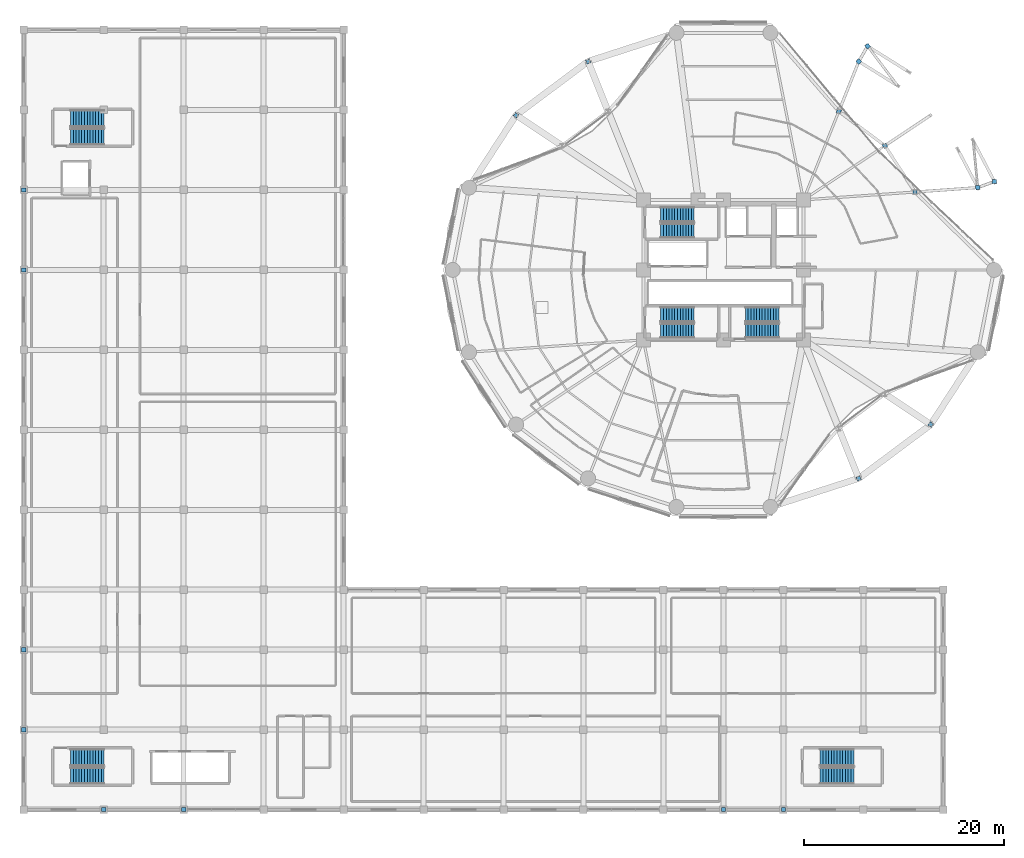
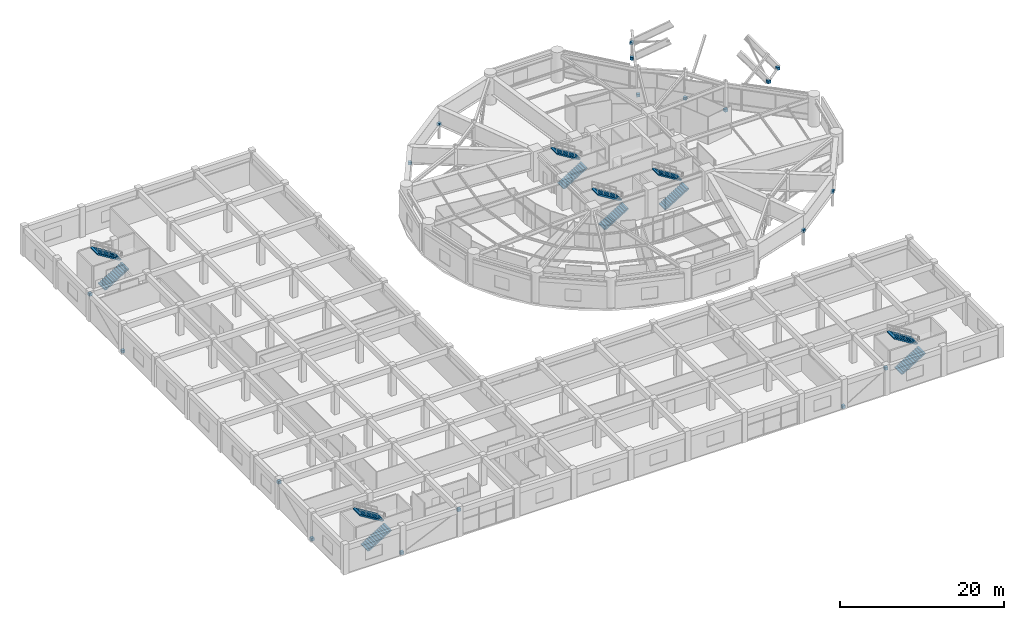
# One storey, part 46 of 53: 19 discrete accessories, 12 stair flights, 6 elements without a shape of their own.
"""IFC4 building model written with IfcOpenShell, lengths in metres."""

from ifc_helpers import new_model, si_unit, direction, frame, origin, origin_2d, place, context, subcontext, project, spatial, polyline, rectangle, outline, extrude, source, transform, mapped, material, type_object, element, aggregate, save


model = new_model("IFC4")

# Units and contexts
model_context = context("Model", 3, precision=1e-05, world=origin(), true_north=direction((0.0, 1.0)))
body_context = subcontext(model_context, "Body", "Model", "MODEL_VIEW")
ifc_project = project(units=[si_unit("LENGTHUNIT", "METRE"), si_unit("AREAUNIT", "SQUARE_METRE"), si_unit("VOLUMEUNIT", "CUBIC_METRE"), si_unit("PLANEANGLEUNIT", "RADIAN"), si_unit("MASSUNIT", "GRAM", prefix="KILO")], contexts=[model_context])

# Site, building, storey
site_placement = place(None, origin())
site = spatial("IfcSite", under=ifc_project, at=site_placement, CompositionType="ELEMENT")
building_placement = place(site_placement, origin())
building = spatial("IfcBuilding", under=site, at=building_placement, Name="Kelanora Arch Commons", CompositionType="ELEMENT")
storey_placement = place(building_placement, frame((0.0, 0.0, 9.0)))
storey = spatial("IfcBuildingStorey", under=building, at=storey_placement, Name="L02", CompositionType="ELEMENT", Elevation=9.0)

# Stair, stair flights
ifc_material_1 = material(Name="Concrete C40/50", Category="concrete")
stair_type = type_object("IfcStairType", Name="STR-DL-450", PredefinedType="HALF_TURN_STAIR", material=ifc_material_1)
stair_1_placement = place(storey_placement, origin())
stair_1 = element("IfcStair", 1, at=stair_1_placement, inside=storey, type_object=stair_type, Name="L02 ST-T1", PredefinedType="HALF_TURN_STAIR")
stair_flight_type = type_object("IfcStairFlightType", Name="FLT-DL-450", PredefinedType="STRAIGHT", material=ifc_material_1)
stair_flight_1_placement = place(storey_placement, frame((67.719970703125, 61.919921875, 0.0), z_axis=(0.0, 0.0, 1.0), x_axis=(1.0, 0.0, 0.0)))
stair_flight_1 = element("IfcStairFlight", 2, at=stair_flight_1_placement, type_object=stair_flight_type, Name="ST-T1 flight 1", NumberOfRisers=13, NumberOfTreads=12, PredefinedType="STRAIGHT", RiserHeight=0.173076923, TreadLength=0.28, context=body_context, shape_type="SweptSolid", body=[
    extrude(outline(polyline([(0.0, 0.0), (0.0, 0.173095703125), (0.280029296875, 0.173095703125), (0.280029296875, 0.34619140625), (0.56005859375, 0.34619140625), (0.56005859375, 0.519287109375), (0.840087890625, 0.519287109375), (0.840087890625, 0.6923828125), (1.1201171875, 0.6923828125), (1.1201171875, 0.865478515625), (1.39990234375, 0.865478515625), (1.39990234375, 1.03857421875), (1.679931640625, 1.03857421875), (1.679931640625, 1.21142578125), (1.9599609375, 1.21142578125), (1.9599609375, 1.384521484375), (2.239990234375, 1.384521484375), (2.239990234375, 1.5576171875), (2.52001953125, 1.5576171875), (2.52001953125, 1.730712890625), (2.800048828125, 1.730712890625), (2.800048828125, 1.90380859375), (3.080078125, 1.90380859375), (3.080078125, 2.076904296875), (3.360107421875, 2.076904296875), (3.360107421875, 2.25), (3.360107421875, 1.900634765625), (0.28515625, 0.0), (0.0, 0.0)])), frame((0.0, 0.739990234375, 0.0), z_axis=(0.0, -1.0, 0.0), x_axis=(1.0, 0.0, 0.0)), (0.0, 0.0, 1.0), 1.47998046875),
])
stair_flight_2_placement = place(storey_placement, frame((71.080078125, 63.550048828125, 2.25), z_axis=(0.0, 0.0, 1.0), x_axis=(-1.0, 0.0, 0.0)))
stair_flight_2 = element("IfcStairFlight", 3, at=stair_flight_2_placement, type_object=stair_flight_type, Name="ST-T1 flight 2", NumberOfRisers=13, NumberOfTreads=12, PredefinedType="STRAIGHT", RiserHeight=0.173076923, TreadLength=0.28, context=body_context, shape_type="SweptSolid", body=[
    extrude(outline(polyline([(0.0, 0.0), (0.0, 0.173095703125), (0.280029296875, 0.173095703125), (0.280029296875, 0.34619140625), (0.56005859375, 0.34619140625), (0.56005859375, 0.519287109375), (0.840087890625, 0.519287109375), (0.840087890625, 0.6923828125), (1.1201171875, 0.6923828125), (1.1201171875, 0.865478515625), (1.39990234375, 0.865478515625), (1.39990234375, 1.03857421875), (1.679931640625, 1.03857421875), (1.679931640625, 1.21142578125), (1.9599609375, 1.21142578125), (1.9599609375, 1.384521484375), (2.239990234375, 1.384521484375), (2.239990234375, 1.5576171875), (2.52001953125, 1.5576171875), (2.52001953125, 1.730712890625), (2.800048828125, 1.730712890625), (2.800048828125, 1.90380859375), (3.080078125, 1.90380859375), (3.080078125, 2.076904296875), (3.360107421875, 2.076904296875), (3.360107421875, 2.25), (3.360107421875, 1.900634765625), (0.28515625, 0.0), (0.0, 0.0)])), frame((0.0, 0.739990234375, 0.0), z_axis=(0.0, -1.0, 0.0), x_axis=(1.0, 0.0, 0.0)), (0.0, 0.0, 1.0), 1.47998046875),
])
aggregate(stair_1, [stair_flight_1, stair_flight_2])

stair_2_placement = place(storey_placement, origin())
stair_2 = element("IfcStair", 4, at=stair_2_placement, inside=storey, type_object=stair_type, Name="L02 ST-T2", PredefinedType="HALF_TURN_STAIR")
stair_flight_3_placement = place(storey_placement, frame((76.199951171875, 51.919921875, 0.0), z_axis=(0.0, 0.0, 1.0), x_axis=(1.0, 0.0, 0.0)))
stair_flight_3 = element("IfcStairFlight", 5, at=stair_flight_3_placement, type_object=stair_flight_type, Name="ST-T2 flight 1", NumberOfRisers=13, NumberOfTreads=12, PredefinedType="STRAIGHT", RiserHeight=0.173076923, TreadLength=0.28, context=body_context, shape_type="SweptSolid", body=[
    extrude(outline(polyline([(0.0, 0.0), (0.0, 0.173095703125), (0.280029296875, 0.173095703125), (0.280029296875, 0.34619140625), (0.56005859375, 0.34619140625), (0.56005859375, 0.519287109375), (0.840087890625, 0.519287109375), (0.840087890625, 0.6923828125), (1.1201171875, 0.6923828125), (1.1201171875, 0.865478515625), (1.39990234375, 0.865478515625), (1.39990234375, 1.03857421875), (1.679931640625, 1.03857421875), (1.679931640625, 1.21142578125), (1.9599609375, 1.21142578125), (1.9599609375, 1.384521484375), (2.239990234375, 1.384521484375), (2.239990234375, 1.5576171875), (2.52001953125, 1.5576171875), (2.52001953125, 1.730712890625), (2.800048828125, 1.730712890625), (2.800048828125, 1.90380859375), (3.080078125, 1.90380859375), (3.080078125, 2.076904296875), (3.360107421875, 2.076904296875), (3.360107421875, 2.25), (3.360107421875, 1.900634765625), (0.28515625, 0.0), (0.0, 0.0)])), frame((0.0, 0.739990234375, 0.0), z_axis=(0.0, -1.0, 0.0), x_axis=(1.0, 0.0, 0.0)), (0.0, 0.0, 1.0), 1.47998046875),
])
stair_flight_4_placement = place(storey_placement, frame((79.56005859375, 53.550048828125, 2.25), z_axis=(0.0, 0.0, 1.0), x_axis=(-1.0, 0.0, 0.0)))
stair_flight_4 = element("IfcStairFlight", 6, at=stair_flight_4_placement, type_object=stair_flight_type, Name="ST-T2 flight 2", NumberOfRisers=13, NumberOfTreads=12, PredefinedType="STRAIGHT", RiserHeight=0.173076923, TreadLength=0.28, context=body_context, shape_type="SweptSolid", body=[
    extrude(outline(polyline([(0.0, 0.0), (0.0, 0.173095703125), (0.280029296875, 0.173095703125), (0.280029296875, 0.34619140625), (0.56005859375, 0.34619140625), (0.56005859375, 0.519287109375), (0.840087890625, 0.519287109375), (0.840087890625, 0.6923828125), (1.1201171875, 0.6923828125), (1.1201171875, 0.865478515625), (1.39990234375, 0.865478515625), (1.39990234375, 1.03857421875), (1.679931640625, 1.03857421875), (1.679931640625, 1.21142578125), (1.9599609375, 1.21142578125), (1.9599609375, 1.384521484375), (2.239990234375, 1.384521484375), (2.239990234375, 1.5576171875), (2.52001953125, 1.5576171875), (2.52001953125, 1.730712890625), (2.800048828125, 1.730712890625), (2.800048828125, 1.90380859375), (3.080078125, 1.90380859375), (3.080078125, 2.076904296875), (3.360107421875, 2.076904296875), (3.360107421875, 2.25), (3.360107421875, 1.900634765625), (0.28515625, 0.0), (0.0, 0.0)])), frame((0.0, 0.739990234375, 0.0), z_axis=(0.0, -1.0, 0.0), x_axis=(1.0, 0.0, 0.0)), (0.0, 0.0, 1.0), 1.47998046875),
])
aggregate(stair_2, [stair_flight_3, stair_flight_4])

stair_3_placement = place(storey_placement, origin())
stair_3 = element("IfcStair", 7, at=stair_3_placement, inside=storey, type_object=stair_type, Name="L02 ST-T3", PredefinedType="HALF_TURN_STAIR")
stair_flight_5_placement = place(storey_placement, frame((67.719970703125, 51.919921875, 0.0), z_axis=(0.0, 0.0, 1.0), x_axis=(1.0, 0.0, 0.0)))
stair_flight_5 = element("IfcStairFlight", 8, at=stair_flight_5_placement, type_object=stair_flight_type, Name="ST-T3 flight 1", NumberOfRisers=13, NumberOfTreads=12, PredefinedType="STRAIGHT", RiserHeight=0.173076923, TreadLength=0.28, context=body_context, shape_type="SweptSolid", body=[
    extrude(outline(polyline([(0.0, 0.0), (0.0, 0.173095703125), (0.280029296875, 0.173095703125), (0.280029296875, 0.34619140625), (0.56005859375, 0.34619140625), (0.56005859375, 0.519287109375), (0.840087890625, 0.519287109375), (0.840087890625, 0.6923828125), (1.1201171875, 0.6923828125), (1.1201171875, 0.865478515625), (1.39990234375, 0.865478515625), (1.39990234375, 1.03857421875), (1.679931640625, 1.03857421875), (1.679931640625, 1.21142578125), (1.9599609375, 1.21142578125), (1.9599609375, 1.384521484375), (2.239990234375, 1.384521484375), (2.239990234375, 1.5576171875), (2.52001953125, 1.5576171875), (2.52001953125, 1.730712890625), (2.800048828125, 1.730712890625), (2.800048828125, 1.90380859375), (3.080078125, 1.90380859375), (3.080078125, 2.076904296875), (3.360107421875, 2.076904296875), (3.360107421875, 2.25), (3.360107421875, 1.900634765625), (0.28515625, 0.0), (0.0, 0.0)])), frame((0.0, 0.739990234375, 0.0), z_axis=(0.0, -1.0, 0.0), x_axis=(1.0, 0.0, 0.0)), (0.0, 0.0, 1.0), 1.47998046875),
])
stair_flight_6_placement = place(storey_placement, frame((71.080078125, 53.550048828125, 2.25), z_axis=(0.0, 0.0, 1.0), x_axis=(-1.0, 0.0, 0.0)))
stair_flight_6 = element("IfcStairFlight", 9, at=stair_flight_6_placement, type_object=stair_flight_type, Name="ST-T3 flight 2", NumberOfRisers=13, NumberOfTreads=12, PredefinedType="STRAIGHT", RiserHeight=0.173076923, TreadLength=0.28, context=body_context, shape_type="SweptSolid", body=[
    extrude(outline(polyline([(0.0, 0.0), (0.0, 0.173095703125), (0.280029296875, 0.173095703125), (0.280029296875, 0.34619140625), (0.56005859375, 0.34619140625), (0.56005859375, 0.519287109375), (0.840087890625, 0.519287109375), (0.840087890625, 0.6923828125), (1.1201171875, 0.6923828125), (1.1201171875, 0.865478515625), (1.39990234375, 0.865478515625), (1.39990234375, 1.03857421875), (1.679931640625, 1.03857421875), (1.679931640625, 1.21142578125), (1.9599609375, 1.21142578125), (1.9599609375, 1.384521484375), (2.239990234375, 1.384521484375), (2.239990234375, 1.5576171875), (2.52001953125, 1.5576171875), (2.52001953125, 1.730712890625), (2.800048828125, 1.730712890625), (2.800048828125, 1.90380859375), (3.080078125, 1.90380859375), (3.080078125, 2.076904296875), (3.360107421875, 2.076904296875), (3.360107421875, 2.25), (3.360107421875, 1.900634765625), (0.28515625, 0.0), (0.0, 0.0)])), frame((0.0, 0.739990234375, 0.0), z_axis=(0.0, -1.0, 0.0), x_axis=(1.0, 0.0, 0.0)), (0.0, 0.0, 1.0), 1.47998046875),
])
aggregate(stair_3, [stair_flight_5, stair_flight_6])

stair_4_placement = place(storey_placement, origin())
stair_4 = element("IfcStair", 10, at=stair_4_placement, inside=storey, type_object=stair_type, Name="L02 ST-M1", PredefinedType="HALF_TURN_STAIR")
stair_flight_7_placement = place(storey_placement, frame((8.679931640625, 7.39990234375, 0.0), z_axis=(0.0, 0.0, 1.0), x_axis=(1.0, 0.0, 0.0)))
stair_flight_7 = element("IfcStairFlight", 11, at=stair_flight_7_placement, type_object=stair_flight_type, Name="ST-M1 flight 1", NumberOfRisers=13, NumberOfTreads=12, PredefinedType="STRAIGHT", RiserHeight=0.173076923, TreadLength=0.28, context=body_context, shape_type="SweptSolid", body=[
    extrude(outline(polyline([(0.0, 0.0), (0.0, 0.173095703125), (0.280029296875, 0.173095703125), (0.280029296875, 0.34619140625), (0.56005859375, 0.34619140625), (0.56005859375, 0.519287109375), (0.840087890625, 0.519287109375), (0.840087890625, 0.6923828125), (1.1201171875, 0.6923828125), (1.1201171875, 0.865478515625), (1.39990234375, 0.865478515625), (1.39990234375, 1.03857421875), (1.679931640625, 1.03857421875), (1.679931640625, 1.21142578125), (1.9599609375, 1.21142578125), (1.9599609375, 1.384521484375), (2.239990234375, 1.384521484375), (2.239990234375, 1.5576171875), (2.52001953125, 1.5576171875), (2.52001953125, 1.730712890625), (2.800048828125, 1.730712890625), (2.800048828125, 1.90380859375), (3.080078125, 1.90380859375), (3.080078125, 2.076904296875), (3.360107421875, 2.076904296875), (3.360107421875, 2.25), (3.360107421875, 1.900634765625), (0.28515625, 0.0), (0.0, 0.0)])), frame((0.0, 0.83984375, 0.0), z_axis=(0.0, -1.0, 0.0), x_axis=(1.0, 0.0, 0.0)), (0.0, 0.0, 1.0), 1.679931640625),
])
stair_flight_8_placement = place(storey_placement, frame((12.0400390625, 9.22998046875, 2.25), z_axis=(0.0, 0.0, 1.0), x_axis=(-1.0, 0.0, 0.0)))
stair_flight_8 = element("IfcStairFlight", 12, at=stair_flight_8_placement, type_object=stair_flight_type, Name="ST-M1 flight 2", NumberOfRisers=13, NumberOfTreads=12, PredefinedType="STRAIGHT", RiserHeight=0.173076923, TreadLength=0.28, context=body_context, shape_type="SweptSolid", body=[
    extrude(outline(polyline([(0.0, 0.0), (0.0, 0.173095703125), (0.280029296875, 0.173095703125), (0.280029296875, 0.34619140625), (0.56005859375, 0.34619140625), (0.56005859375, 0.519287109375), (0.840087890625, 0.519287109375), (0.840087890625, 0.6923828125), (1.1201171875, 0.6923828125), (1.1201171875, 0.865478515625), (1.39990234375, 0.865478515625), (1.39990234375, 1.03857421875), (1.679931640625, 1.03857421875), (1.679931640625, 1.21142578125), (1.9599609375, 1.21142578125), (1.9599609375, 1.384521484375), (2.239990234375, 1.384521484375), (2.239990234375, 1.5576171875), (2.52001953125, 1.5576171875), (2.52001953125, 1.730712890625), (2.800048828125, 1.730712890625), (2.800048828125, 1.90380859375), (3.080078125, 1.90380859375), (3.080078125, 2.076904296875), (3.360107421875, 2.076904296875), (3.360107421875, 2.25), (3.360107421875, 1.900634765625), (0.28515625, 0.0), (0.0, 0.0)])), frame((0.0, 0.83984375, 0.0), z_axis=(0.0, -1.0, 0.0), x_axis=(1.0, 0.0, 0.0)), (0.0, 0.0, 1.0), 1.679931640625),
])
aggregate(stair_4, [stair_flight_7, stair_flight_8])

stair_5_placement = place(storey_placement, origin())
stair_5 = element("IfcStair", 13, at=stair_5_placement, inside=storey, type_object=stair_type, Name="L02 ST-M2", PredefinedType="HALF_TURN_STAIR")
stair_flight_9_placement = place(storey_placement, frame((83.679931640625, 7.39990234375, 0.0), z_axis=(0.0, 0.0, 1.0), x_axis=(1.0, 0.0, 0.0)))
stair_flight_9 = element("IfcStairFlight", 14, at=stair_flight_9_placement, type_object=stair_flight_type, Name="ST-M2 flight 1", NumberOfRisers=13, NumberOfTreads=12, PredefinedType="STRAIGHT", RiserHeight=0.173076923, TreadLength=0.28, context=body_context, shape_type="SweptSolid", body=[
    extrude(outline(polyline([(0.0, 0.0), (0.0, 0.173095703125), (0.280029296875, 0.173095703125), (0.280029296875, 0.34619140625), (0.56005859375, 0.34619140625), (0.56005859375, 0.519287109375), (0.840087890625, 0.519287109375), (0.840087890625, 0.6923828125), (1.1201171875, 0.6923828125), (1.1201171875, 0.865478515625), (1.39990234375, 0.865478515625), (1.39990234375, 1.03857421875), (1.679931640625, 1.03857421875), (1.679931640625, 1.21142578125), (1.9599609375, 1.21142578125), (1.9599609375, 1.384521484375), (2.239990234375, 1.384521484375), (2.239990234375, 1.5576171875), (2.52001953125, 1.5576171875), (2.52001953125, 1.730712890625), (2.800048828125, 1.730712890625), (2.800048828125, 1.90380859375), (3.080078125, 1.90380859375), (3.080078125, 2.076904296875), (3.360107421875, 2.076904296875), (3.360107421875, 2.25), (3.360107421875, 1.900634765625), (0.28515625, 0.0), (0.0, 0.0)])), frame((0.0, 0.83984375, 0.0), z_axis=(0.0, -1.0, 0.0), x_axis=(1.0, 0.0, 0.0)), (0.0, 0.0, 1.0), 1.679931640625),
])
stair_flight_10_placement = place(storey_placement, frame((87.0400390625, 9.22998046875, 2.25), z_axis=(0.0, 0.0, 1.0), x_axis=(-1.0, 0.0, 0.0)))
stair_flight_10 = element("IfcStairFlight", 15, at=stair_flight_10_placement, type_object=stair_flight_type, Name="ST-M2 flight 2", NumberOfRisers=13, NumberOfTreads=12, PredefinedType="STRAIGHT", RiserHeight=0.173076923, TreadLength=0.28, context=body_context, shape_type="SweptSolid", body=[
    extrude(outline(polyline([(0.0, 0.0), (0.0, 0.173095703125), (0.280029296875, 0.173095703125), (0.280029296875, 0.34619140625), (0.56005859375, 0.34619140625), (0.56005859375, 0.519287109375), (0.840087890625, 0.519287109375), (0.840087890625, 0.6923828125), (1.1201171875, 0.6923828125), (1.1201171875, 0.865478515625), (1.39990234375, 0.865478515625), (1.39990234375, 1.03857421875), (1.679931640625, 1.03857421875), (1.679931640625, 1.21142578125), (1.9599609375, 1.21142578125), (1.9599609375, 1.384521484375), (2.239990234375, 1.384521484375), (2.239990234375, 1.5576171875), (2.52001953125, 1.5576171875), (2.52001953125, 1.730712890625), (2.800048828125, 1.730712890625), (2.800048828125, 1.90380859375), (3.080078125, 1.90380859375), (3.080078125, 2.076904296875), (3.360107421875, 2.076904296875), (3.360107421875, 2.25), (3.360107421875, 1.900634765625), (0.28515625, 0.0), (0.0, 0.0)])), frame((0.0, 0.83984375, 0.0), z_axis=(0.0, -1.0, 0.0), x_axis=(1.0, 0.0, 0.0)), (0.0, 0.0, 1.0), 1.679931640625),
])
aggregate(stair_5, [stair_flight_9, stair_flight_10])

stair_6_placement = place(storey_placement, origin())
stair_6 = element("IfcStair", 16, at=stair_6_placement, inside=storey, type_object=stair_type, Name="L02 ST-M3", PredefinedType="HALF_TURN_STAIR")
stair_flight_11_placement = place(storey_placement, frame((8.679931640625, 71.320068359375, 0.0), z_axis=(0.0, 0.0, 1.0), x_axis=(1.0, 0.0, 0.0)))
stair_flight_11 = element("IfcStairFlight", 17, at=stair_flight_11_placement, type_object=stair_flight_type, Name="ST-M3 flight 1", NumberOfRisers=13, NumberOfTreads=12, PredefinedType="STRAIGHT", RiserHeight=0.173076923, TreadLength=0.28, context=body_context, shape_type="SweptSolid", body=[
    extrude(outline(polyline([(0.0, 0.0), (0.0, 0.173095703125), (0.280029296875, 0.173095703125), (0.280029296875, 0.34619140625), (0.56005859375, 0.34619140625), (0.56005859375, 0.519287109375), (0.840087890625, 0.519287109375), (0.840087890625, 0.6923828125), (1.1201171875, 0.6923828125), (1.1201171875, 0.865478515625), (1.39990234375, 0.865478515625), (1.39990234375, 1.03857421875), (1.679931640625, 1.03857421875), (1.679931640625, 1.21142578125), (1.9599609375, 1.21142578125), (1.9599609375, 1.384521484375), (2.239990234375, 1.384521484375), (2.239990234375, 1.5576171875), (2.52001953125, 1.5576171875), (2.52001953125, 1.730712890625), (2.800048828125, 1.730712890625), (2.800048828125, 1.90380859375), (3.080078125, 1.90380859375), (3.080078125, 2.076904296875), (3.360107421875, 2.076904296875), (3.360107421875, 2.25), (3.360107421875, 1.900634765625), (0.28515625, 0.0), (0.0, 0.0)])), frame((0.0, 0.83984375, 0.0), z_axis=(0.0, -1.0, 0.0), x_axis=(1.0, 0.0, 0.0)), (0.0, 0.0, 1.0), 1.679931640625),
])
stair_flight_12_placement = place(storey_placement, frame((12.0400390625, 73.14990234375, 2.25), z_axis=(0.0, 0.0, 1.0), x_axis=(-1.0, 0.0, 0.0)))
stair_flight_12 = element("IfcStairFlight", 18, at=stair_flight_12_placement, type_object=stair_flight_type, Name="ST-M3 flight 2", NumberOfRisers=13, NumberOfTreads=12, PredefinedType="STRAIGHT", RiserHeight=0.173076923, TreadLength=0.28, context=body_context, shape_type="SweptSolid", body=[
    extrude(outline(polyline([(0.0, 0.0), (0.0, 0.173095703125), (0.280029296875, 0.173095703125), (0.280029296875, 0.34619140625), (0.56005859375, 0.34619140625), (0.56005859375, 0.519287109375), (0.840087890625, 0.519287109375), (0.840087890625, 0.6923828125), (1.1201171875, 0.6923828125), (1.1201171875, 0.865478515625), (1.39990234375, 0.865478515625), (1.39990234375, 1.03857421875), (1.679931640625, 1.03857421875), (1.679931640625, 1.21142578125), (1.9599609375, 1.21142578125), (1.9599609375, 1.384521484375), (2.239990234375, 1.384521484375), (2.239990234375, 1.5576171875), (2.52001953125, 1.5576171875), (2.52001953125, 1.730712890625), (2.800048828125, 1.730712890625), (2.800048828125, 1.90380859375), (3.080078125, 1.90380859375), (3.080078125, 2.076904296875), (3.360107421875, 2.076904296875), (3.360107421875, 2.25), (3.360107421875, 1.900634765625), (0.28515625, 0.0), (0.0, 0.0)])), frame((0.0, 0.83984375, 0.0), z_axis=(0.0, -1.0, 0.0), x_axis=(1.0, 0.0, 0.0)), (0.0, 0.0, 1.0), 1.679931640625),
])
aggregate(stair_6, [stair_flight_11, stair_flight_12])

# Discrete accessories
ifc_material_2 = material(Name="Steel S355", Category="steel")
discrete_accessory_type = type_object("IfcDiscreteAccessoryType", Name="ACC-BRC-CONN", PredefinedType="BRACKET", material=ifc_material_2)
shared_shape = source(origin(), body_context, "Body", "SweptSolid", [
    extrude(rectangle(XDim=0.419921875, YDim=0.419921875, at=origin_2d()), origin(), (0.0, 0.0, 1.0), 0.419921875),
])
for number, where, z_axis, x_axis, name in (
    (19, (60.4599609375, 78.85400390625, 1.330078125), (0.0, 0.0, 1.0), (-0.37136783555, 0.928485826881, 0.0), "Brace and Strut Gusset End Connection 0018"),
    (20, (53.255615234375, 73.478271484375, 1.330078125), (0.0, 0.0, 1.0), (-0.832631371411, 0.553827589908, 0.0), "Brace and Strut Gusset End Connection 0020"),
    (21, (87.5400390625, 37.14599609375, 1.330078125), (0.0, 0.0, 1.0), (0.37136783555, -0.928485826881, 0.0), "Brace and Strut Gusset End Connection 0022"),
    (22, (94.744384765625, 42.521728515625, 1.330078125), (0.0, 0.0, 1.0), (0.832631371411, -0.553827589908, 0.0), "Brace and Strut Gusset End Connection 0024"),
    (23, (12.0, 4.0, 0.0400390625), (0.0, 0.0, 1.0), (1.0, 0.0, 0.0), "Brace and Strut Gusset End Connection 0025"),
    (24, (20.0, 4.0, 3.64013671875), (0.0, 0.0, 1.0), (1.0, 0.0, 0.0), "Brace and Strut Gusset End Connection 0026"),
    (25, (74.0, 4.0, 0.0400390625), (0.0, 0.0, 1.0), (1.0, 0.0, 0.0), "Brace and Strut Gusset End Connection 0027"),
    (26, (80.0, 4.0, 3.64013671875), (0.0, 0.0, 1.0), (1.0, 0.0, 0.0), "Brace and Strut Gusset End Connection 0028"),
    (27, (4.0, 12.0, 0.0400390625), (0.0, 0.0, 1.0), (0.0, 1.0, 0.0), "Brace and Strut Gusset End Connection 0029"),
    (28, (4.0, 20.0, 3.64013671875), (0.0, 0.0, 1.0), (0.0, 1.0, 0.0), "Brace and Strut Gusset End Connection 0030"),
    (29, (4.0, 58.0, 0.0400390625), (0.0, 0.0, 1.0), (0.0, 1.0, 0.0), "Brace and Strut Gusset End Connection 0031"),
    (30, (4.0, 66.0, 3.64013671875), (0.0, 0.0, 1.0), (0.0, 1.0, 0.0), "Brace and Strut Gusset End Connection 0032"),
    (31, (101.110107421875, 66.84130859375, 2.68994140625), (0.0, 0.0, 1.0), (0.094282070226, 0.995545524441, 0.0), "Brace and Strut Gusset End Connection 0220"),
    (32, (99.447021484375, 66.23583984375, 1.64013671875), (0.0, 0.0, 1.0), (-0.098103986207, 0.995176169274, 0.0), "Brace and Strut Gusset End Connection 0221"),
    (33, (88.425048828125, 80.38671875, 2.68994140625), (0.0, 0.0, 1.0), (-0.603347183213, 0.797478637023, 0.0), "Brace and Strut Gusset End Connection 0228"),
    (34, (87.5400390625, 78.85400390625, 1.64013671875), (0.0, 0.0, 1.0), (-0.730162276621, 0.683273773681, 0.0), "Brace and Strut Gusset End Connection 0229"),
    (35, (93.166015625, 65.791015625, -0.10986328125), (0.0, 0.0, 1.0), (0.997502796416, 0.070626985931, 0.0), "Brace and Strut Gusset End Connection 0232"),
    (36, (90.156494140625, 70.426025390625, -0.10986328125), (0.0, 0.0, 1.0), (0.832631371411, 0.553827589908, 0.0), "Brace and Strut Gusset End Connection 0234"),
    (37, (85.545654296875, 73.866455078125, -0.10986328125), (0.0, 0.0, 1.0), (0.37136783555, 0.928485826881, 0.0), "Brace and Strut Gusset End Connection 0236"),
):
    element("IfcDiscreteAccessory", number, at=place(storey_placement, frame(where, z_axis=z_axis, x_axis=x_axis)), inside=storey, type_object=discrete_accessory_type, Name=name, PredefinedType="BRACKET", context=body_context, shape_type="MappedRepresentation", body=[
        mapped(shared_shape, transform((0.0, 0.0, 0.0), scale=1.0)),
    ])

save(model, "model.ifc")
